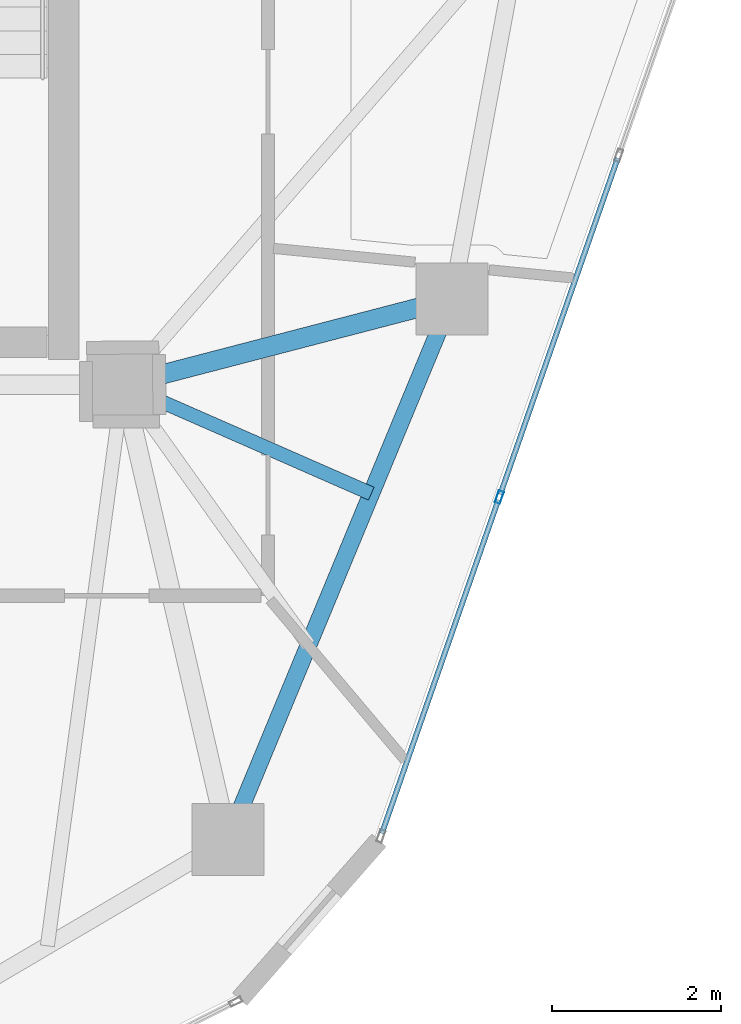
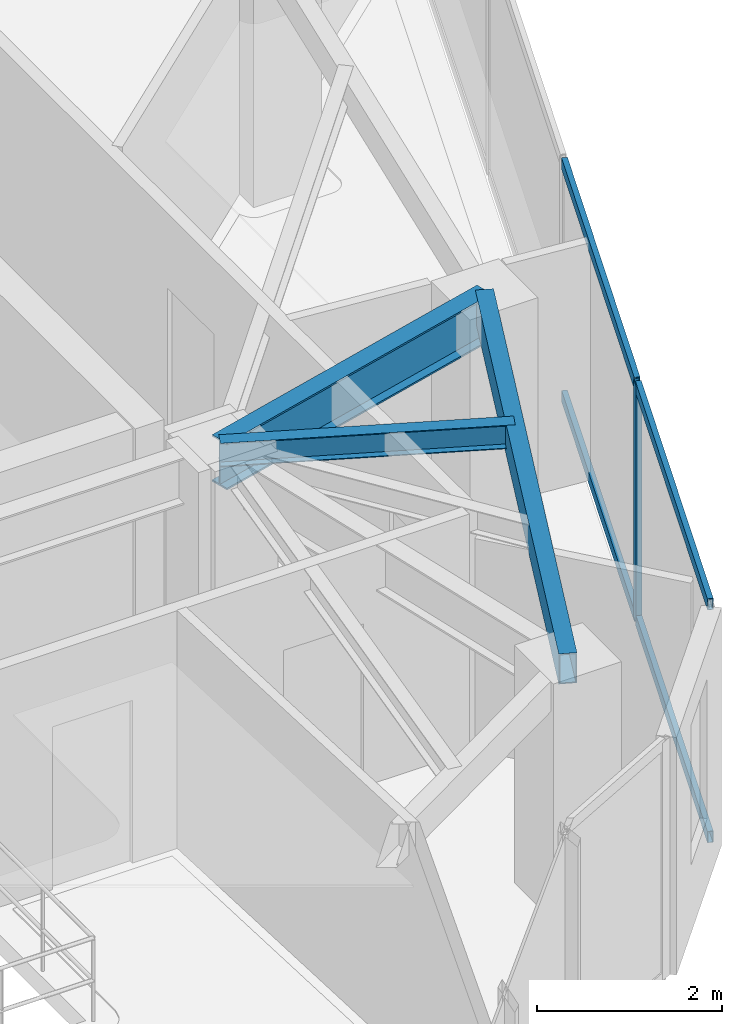
# One storey, part 7 of 21: 5 members, 3 beams, 1 element without a shape of its own.
"""IFC4 building model written with IfcOpenShell, lengths in metres."""

from ifc_helpers import new_model, si_unit, direction, frame, origin, origin_2d, place, context, subcontext, project, spatial, hollow_rectangle, i_section, extrude, source, transform, mapped, material, layer, layer_set, material_profile, profile_set, type_object, type_shapes, element, aggregate, save


model = new_model("IFC4")

# Units and contexts
model_context = context("Model", 3, precision=1e-05, world=origin(), true_north=direction((0.0, 1.0)))
body_context = subcontext(model_context, "Body", "Model", "MODEL_VIEW")
ifc_project = project(units=[si_unit("LENGTHUNIT", "METRE"), si_unit("AREAUNIT", "SQUARE_METRE"), si_unit("VOLUMEUNIT", "CUBIC_METRE"), si_unit("PLANEANGLEUNIT", "RADIAN"), si_unit("MASSUNIT", "GRAM", prefix="KILO")], contexts=[model_context])

# Site, building, storey
site_placement = place(None, origin())
site = spatial("IfcSite", under=ifc_project, at=site_placement, CompositionType="ELEMENT")
building_placement = place(site_placement, origin())
building = spatial("IfcBuilding", under=site, at=building_placement, Name="Talar Marvaseh", CompositionType="ELEMENT")
storey_placement = place(building_placement, frame((0.0, 0.0, 264.60009765625)))
storey = spatial("IfcBuildingStorey", under=building, at=storey_placement, Name="L70", CompositionType="ELEMENT", Elevation=264.60009765625)

# Beams
ifc_material_1 = material(Name="Steel S355", Category="steel")
ifc_material_profile_1 = material_profile(ifc_material_1, hollow_rectangle(XDim=0.199951171875, YDim=0.39990234375, WallThickness=0.013916015625, at=origin_2d()), Name="RHS400x200x14")
ifc_profile_set_1 = profile_set([ifc_material_profile_1], Name="Steel S355")
beam_type_1 = type_object("IfcBeamType", Name="Zone 3 Perimeter Spandrel Beam RHS400x200x14", PredefinedType="SPANDREL", material=ifc_profile_set_1)
beam_1_placement = place(storey_placement, frame((37.197021484375, 26.513916015625, 2.93994140625), z_axis=(-0.382798740112, -0.923831762048, 0.0), x_axis=(0.923831762048, -0.382798740112, 0.0)))
element("IfcBeam", 1, at=beam_1_placement, inside=storey, type_object=beam_type_1, Name="L70 Zone 3 Perimeter Spandrel Beam RHS400x200x14", PredefinedType="SPANDREL", context=body_context, shape_type="SweptSolid", body=[
    extrude(hollow_rectangle(XDim=0.199951171875, YDim=0.39990234375, WallThickness=0.013916015625, at=origin_2d()), origin(), (0.0, 0.0, 1.0), 6.9306640625),
])
ifc_material_profile_2 = material_profile(ifc_material_1, i_section(OverallWidth=0.166015625, OverallDepth=0.31298828125, WebThickness=0.006591796875, FlangeThickness=0.01123046875, at=origin_2d()), Name="W310x45")
ifc_profile_set_2 = profile_set([ifc_material_profile_2], Name="Steel S355")
beam_type_2 = type_object("IfcBeamType", Name="Zone 3 Secondary Floor Joist W310x45", PredefinedType="JOIST", material=ifc_profile_set_2)
beam_2_placement = place(storey_placement, frame((36.241943359375, 24.208984375, 2.9833984375), z_axis=(-0.915706783714, 0.401847093135, 0.0), x_axis=(-0.401847093135, -0.915706783714, 0.0)))
element("IfcBeam", 2, at=beam_2_placement, inside=storey, type_object=beam_type_2, Name="L70 Zone 3 Secondary Floor Joist W310x45", PredefinedType="JOIST", context=body_context, shape_type="SweptSolid", body=[
    extrude(i_section(OverallWidth=0.166015625, OverallDepth=0.31298828125, WebThickness=0.006591796875, FlangeThickness=0.01123046875, at=origin_2d()), origin(), (0.0, 0.0, 1.0), 3.212646484375),
])
ifc_material_profile_3 = material_profile(ifc_material_1, i_section(OverallWidth=0.22998046875, OverallDepth=0.616943359375, WebThickness=0.01318359375, FlangeThickness=0.022216796875, at=origin_2d()), Name="W610x140")
ifc_profile_set_3 = profile_set([ifc_material_profile_3], Name="Steel S355")
beam_type_3 = type_object("IfcBeamType", Name="Zone 4 Radial Floor Girder W610x140", PredefinedType="BEAM", material=ifc_profile_set_3)
beam_3_placement = place(storey_placement, frame((37.197021484375, 26.513916015625, 2.831298828125), z_axis=(-0.967779967746, -0.251797406719, 0.0), x_axis=(0.251797406719, -0.967779967746, 0.0)))
element("IfcBeam", 3, at=beam_3_placement, inside=storey, type_object=beam_type_3, Name="L70 Zone 4 Radial Floor Girder W610x140", PredefinedType="BEAM", context=body_context, shape_type="SweptSolid", body=[
    extrude(i_section(OverallWidth=0.22998046875, OverallDepth=0.616943359375, WebThickness=0.01318359375, FlangeThickness=0.022216796875, at=origin_2d()), origin(), (0.0, 0.0, 1.0), 4.026611328125),
])

# Curtain wall, members
ifc_material_2 = material(Name="Architectural Aluminium", Category="aluminium")
ifc_layer = layer(ifc_material_2, 0.179931640625)
ifc_layer_set = layer_set([ifc_layer], Name="Architectural Aluminium")
curtain_wall_type = type_object("IfcCurtainWallType", Name="Unitised High-Wind Sky Curtain Wall Z4", PredefinedType="NOTDEFINED", material=ifc_layer_set)
curtain_wall_placement = place(storey_placement, origin())
curtain_wall = element("IfcCurtainWall", 4, at=curtain_wall_placement, inside=storey, type_object=curtain_wall_type, Name="L70 Unitised High-Wind Sky Curtain Wall Z4", PredefinedType="NOTDEFINED")
ifc_material_profile_4 = material_profile(ifc_material_2, hollow_rectangle(XDim=0.06494140625, YDim=0.14990234375, WallThickness=0.00390625, at=origin_2d()), Name="RHS150x65x4")
ifc_profile_set_4 = profile_set([ifc_material_profile_4], Name="Architectural Aluminium")
member_type_1 = type_object("IfcMemberType", Name="Unitised Curtain Wall Slim Mullion RHS150x65x4", PredefinedType="MULLION", material=ifc_profile_set_4)
shared_shape_1 = source(origin(), body_context, "Body", "SweptSolid", [
    extrude(hollow_rectangle(XDim=0.06494140625, YDim=0.14990234375, WallThickness=0.00390625, at=origin_2d()), origin(), (0.0, 0.0, 1.0), 3.139892578125),
])
type_shapes(member_type_1, [shared_shape_1])
member_1_placement = place(storey_placement, frame((37.7587890625, 24.168212890625, 0.0), z_axis=(0.0, 0.0, 1.0), x_axis=(0.94403753333, -0.329838044597, 0.0)))
member_1 = element("IfcMember", 5, at=member_1_placement, type_object=member_type_1, Name="CW-Z4 mullion 4", PredefinedType="MULLION", context=body_context, shape_type="MappedRepresentation", body=[
    mapped(shared_shape_1, transform((0.0, 0.0, 0.0), x_axis=(1.0, 0.0, 0.0), y_axis=(0.0, 1.0, 0.0), z_axis=(0.0, 0.0, 1.0), scale=1.0)),
])
ifc_material_profile_5 = material_profile(ifc_material_2, hollow_rectangle(XDim=0.06494140625, YDim=0.14990234375, WallThickness=0.00390625, at=origin_2d()), Name="RHS150x65x4")
ifc_profile_set_5 = profile_set([ifc_material_profile_5], Name="Architectural Aluminium")
member_type_2 = type_object("IfcMemberType", Name="Unitised Curtain Wall Slim Transom RHS150x65x4", PredefinedType="USERDEFINED", material=ifc_profile_set_5)
shared_shape_2 = source(origin(), body_context, "Body", "SweptSolid", [
    extrude(hollow_rectangle(XDim=0.06494140625, YDim=0.14990234375, WallThickness=0.00390625, at=origin_2d()), origin(), (0.0, 0.0, 1.0), 4.221435546875),
])
member_2_placement = place(storey_placement, frame((39.161865234375, 28.183837890625, 0.032470703125), z_axis=(-0.329832565682, -0.944039447595, 0.0), x_axis=(0.944039447595, -0.329832565682, 0.0)))
member_2 = element("IfcMember", 6, at=member_2_placement, type_object=member_type_2, Name="CW-Z4 transom 3.1", ObjectType="TRANSOM", PredefinedType="USERDEFINED", context=body_context, shape_type="MappedRepresentation", body=[
    mapped(shared_shape_2, transform((0.0, 0.0, 0.0), x_axis=(1.0, 0.0, 0.0), y_axis=(0.0, 1.0, 0.0), z_axis=(0.0, 0.0, 1.0), scale=1.0)),
])
member_3_placement = place(storey_placement, frame((39.161865234375, 28.183837890625, 3.107421875), z_axis=(-0.329832565682, -0.944039447595, 0.0), x_axis=(0.944039447595, -0.329832565682, 0.0)))
member_3 = element("IfcMember", 7, at=member_3_placement, type_object=member_type_2, Name="CW-Z4 transom 3.2", ObjectType="TRANSOM", PredefinedType="USERDEFINED", context=body_context, shape_type="MappedRepresentation", body=[
    mapped(shared_shape_2, transform((0.0, 0.0, 0.0), x_axis=(1.0, 0.0, 0.0), y_axis=(0.0, 1.0, 0.0), z_axis=(0.0, 0.0, 1.0), scale=1.0)),
])
shared_shape_3 = source(origin(), body_context, "Body", "SweptSolid", [
    extrude(hollow_rectangle(XDim=0.06494140625, YDim=0.14990234375, WallThickness=0.00390625, at=origin_2d()), origin(), (0.0, 0.0, 1.0), 4.188720703125),
])
type_shapes(member_type_2, [shared_shape_2, shared_shape_3])
member_4_placement = place(storey_placement, frame((37.748046875, 24.137451171875, 0.032470703125), z_axis=(-0.329833730389, -0.944039040664, 0.0), x_axis=(0.944039040664, -0.329833730389, 0.0)))
member_4 = element("IfcMember", 8, at=member_4_placement, type_object=member_type_2, Name="CW-Z4 transom 4.1", ObjectType="TRANSOM", PredefinedType="USERDEFINED", context=body_context, shape_type="MappedRepresentation", body=[
    mapped(shared_shape_3, transform((0.0, 0.0, 0.0), x_axis=(1.0, 0.0, 0.0), y_axis=(0.0, 1.0, 0.0), z_axis=(0.0, 0.0, 1.0), scale=1.0)),
])
member_5_placement = place(storey_placement, frame((37.748046875, 24.137451171875, 3.107421875), z_axis=(-0.329833730389, -0.944039040664, 0.0), x_axis=(0.944039040664, -0.329833730389, 0.0)))
member_5 = element("IfcMember", 9, at=member_5_placement, type_object=member_type_2, Name="CW-Z4 transom 4.2", ObjectType="TRANSOM", PredefinedType="USERDEFINED", context=body_context, shape_type="MappedRepresentation", body=[
    mapped(shared_shape_3, transform((0.0, 0.0, 0.0), x_axis=(1.0, 0.0, 0.0), y_axis=(0.0, 1.0, 0.0), z_axis=(0.0, 0.0, 1.0), scale=1.0)),
])
aggregate(curtain_wall, [member_1, member_2, member_3, member_4, member_5])

save(model, "model.ifc")
